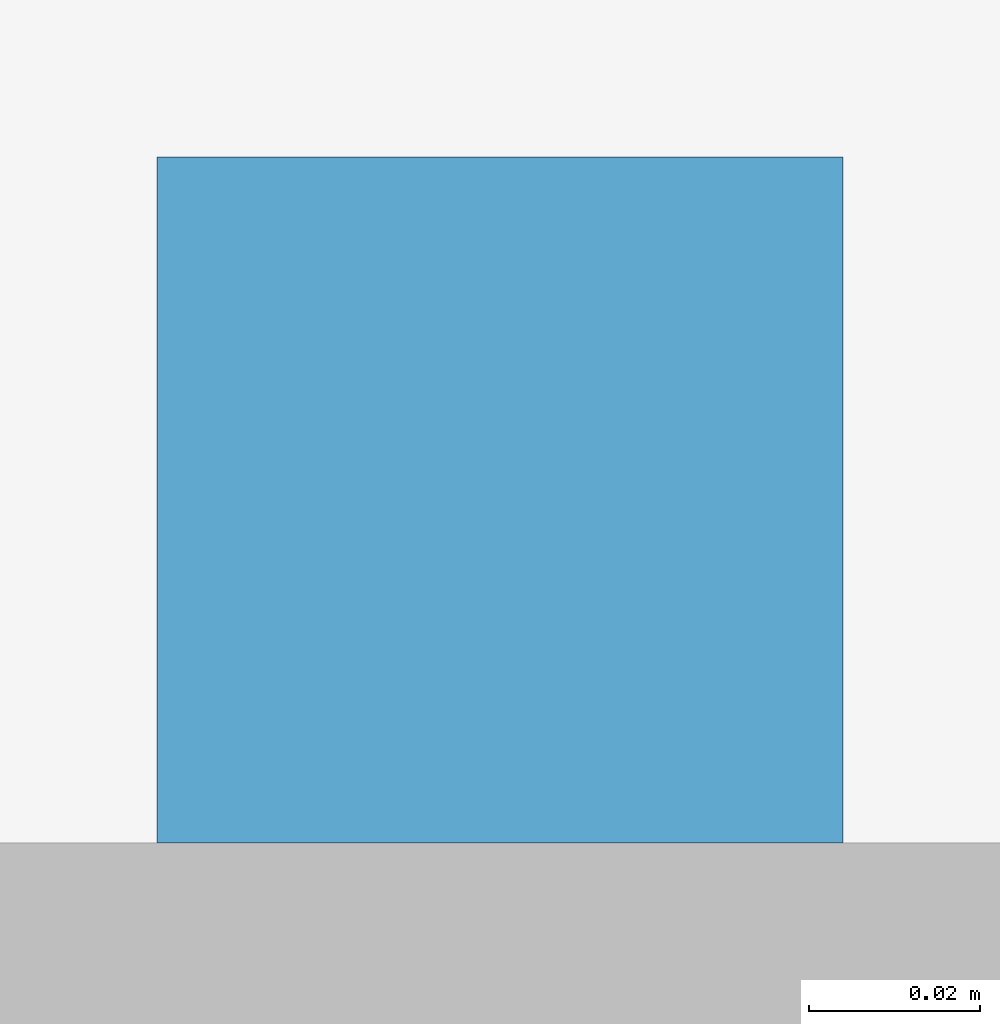
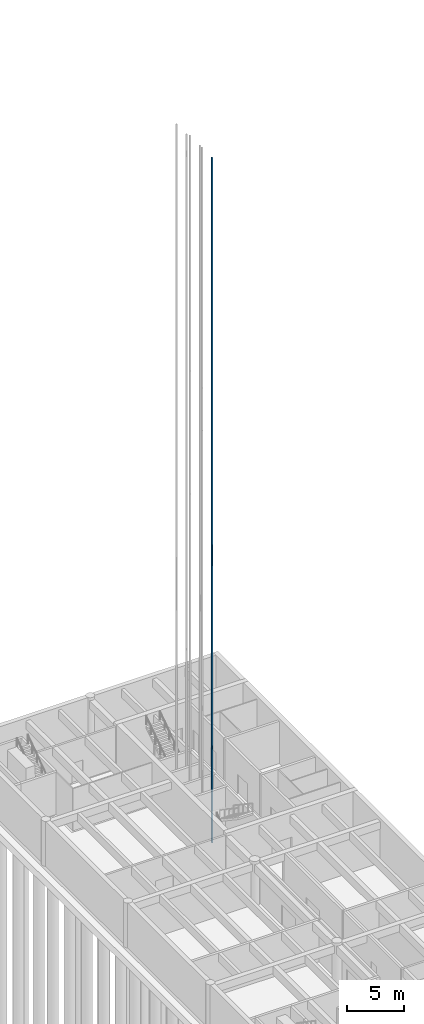
# One storey, part 9 of 24: 1 building element part.
"""IFC4 building model written with IfcOpenShell, lengths in metres."""

from ifc_helpers import new_model, si_unit, direction, frame, origin, origin_2d, place, context, subcontext, project, spatial, rectangle, extrude, element, save


model = new_model("IFC4")

# Units and contexts
model_context = context("Model", 3, precision=1e-05, world=origin(), true_north=direction((0.0, 1.0)))
body_context = subcontext(model_context, "Body", "Model", "MODEL_VIEW")
ifc_project = project(units=[si_unit("LENGTHUNIT", "METRE"), si_unit("AREAUNIT", "SQUARE_METRE"), si_unit("VOLUMEUNIT", "CUBIC_METRE"), si_unit("PLANEANGLEUNIT", "RADIAN"), si_unit("MASSUNIT", "GRAM", prefix="KILO")], contexts=[model_context])

# Site, building, storey
site_placement = place(None, origin())
site = spatial("IfcSite", under=ifc_project, at=site_placement, CompositionType="ELEMENT")
building_placement = place(site_placement, origin())
building = spatial("IfcBuilding", under=site, at=building_placement, Name="Fogon Plaza Fire Station and Headquarters Tower", CompositionType="ELEMENT")
storey_placement = place(building_placement, frame((0.0, 0.0, -4.800048828125)))
storey = spatial("IfcBuildingStorey", under=building, at=storey_placement, Name="B1", CompositionType="ELEMENT", Elevation=-4.800048828125)

# Building element part
building_element_part_placement = place(storey_placement, frame((15.074951171875, 40.215087890625, -1.19970703125), z_axis=(0.0, 0.0, 1.0), x_axis=(1.0, 0.0, 0.0)))
element("IfcBuildingElementPart", 1, at=building_element_part_placement, inside=storey, Name="Guide rail LP1 1", ObjectType="Guide rail", PredefinedType="USERDEFINED", context=body_context, shape_type="SweptSolid", body=[
    extrude(rectangle(XDim=0.080078125, YDim=0.080078125, at=origin_2d()), origin(), (0.0, 0.0, 1.0), 73.199951171875),
])

save(model, "model.ifc")
